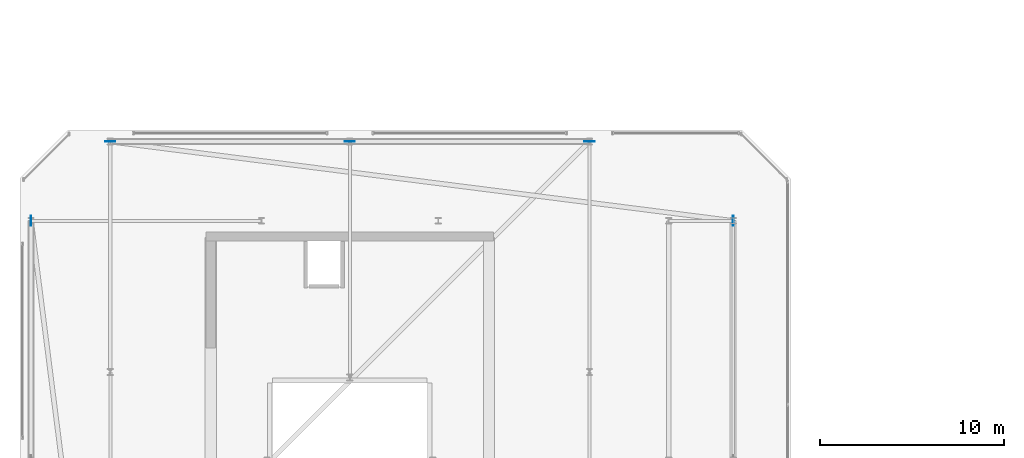
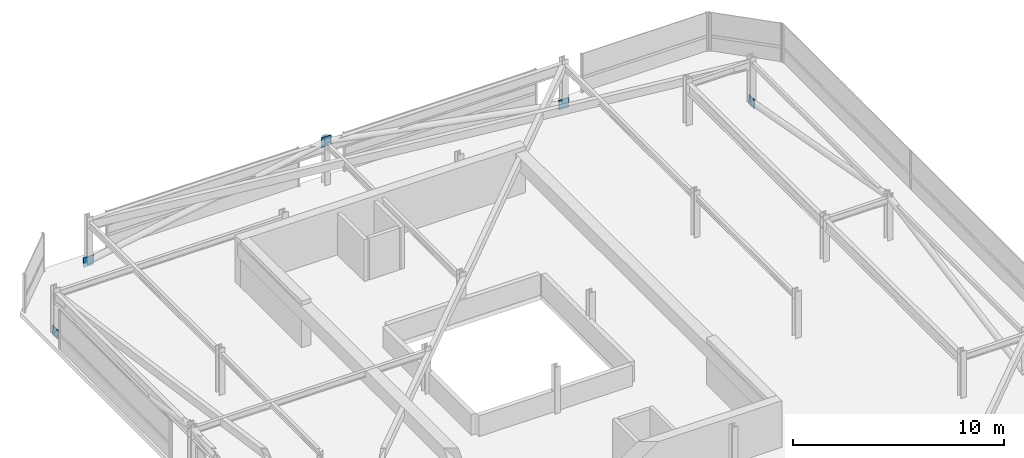
# One storey, part 40 of 42: 5 plates.
"""IFC4 building model written with IfcOpenShell, lengths in metres."""

from ifc_helpers import new_model, si_unit, direction, frame, origin, origin_2d, place, context, subcontext, project, spatial, rectangle, extrude, material, layer, layer_set, type_object, element, save


model = new_model("IFC4")

# Units and contexts
model_context = context("Model", 3, precision=1e-05, world=origin(), true_north=direction((0.0, 1.0)))
body_context = subcontext(model_context, "Body", "Model", "MODEL_VIEW")
ifc_project = project(units=[si_unit("LENGTHUNIT", "METRE"), si_unit("AREAUNIT", "SQUARE_METRE"), si_unit("VOLUMEUNIT", "CUBIC_METRE"), si_unit("PLANEANGLEUNIT", "RADIAN"), si_unit("MASSUNIT", "GRAM", prefix="KILO")], contexts=[model_context])

# Site, building, storey
site_placement = place(None, origin())
site = spatial("IfcSite", under=ifc_project, at=site_placement, CompositionType="ELEMENT")
building_placement = place(site_placement, origin())
building = spatial("IfcBuilding", under=site, at=building_placement, Name="Thornwick Lancets Civic Towers", CompositionType="ELEMENT")
storey_placement = place(building_placement, frame((0.0, 0.0, 284.10009765625)))
storey = spatial("IfcBuildingStorey", under=building, at=storey_placement, Name="C02", CompositionType="ELEMENT", Elevation=284.10009765625)

# Plates
ifc_material = material(Name="Steel S460M", Category="steel")
ifc_layer = layer(ifc_material, 0.0400390625, Name="Steel S460M")
ifc_layer_set = layer_set([ifc_layer], Name="Steel S460M")
plate_type = type_object("IfcPlateType", Name="PLT_GUSSET_40", PredefinedType="USERDEFINED", material=ifc_layer_set)
for number, where, z_axis, x_axis, name in (
    (1, (46.300048828125, 40.0, -0.22509765625), (0.0, 0.0, 1.0), (0.0, -1.0, 0.0), "C02 Brace Connection Gusset Plate 0466"),
    (2, (12.5, 44.300048828125, -0.22509765625), (0.0, 0.0, 1.0), (1.0, 0.0, 0.0), "C02 Brace Connection Gusset Plate 0467"),
    (3, (25.5, 44.300048828125, 2.1650390625), (0.0, 0.0, 1.0), (1.0, 0.0, 0.0), "C02 Brace Connection Gusset Plate 0468"),
    (4, (38.5, 44.300048828125, -0.22509765625), (0.0, 0.0, 1.0), (-1.0, 0.0, 0.0), "C02 Brace Connection Gusset Plate 0469"),
    (5, (8.199951171875, 40.0, -0.22509765625), (0.0, 0.0, 1.0), (0.0, -1.0, 0.0), "C02 Brace Connection Gusset Plate 0472"),
):
    element("IfcPlate", number, at=place(storey_placement, frame(where, z_axis=z_axis, x_axis=x_axis)), inside=storey, type_object=plate_type, Name=name, ObjectType="GUSSET_PLATE", PredefinedType="USERDEFINED", context=body_context, shape_type="SweptSolid", body=[
        extrude(rectangle(XDim=0.550048828125, YDim=0.0400390625, at=origin_2d()), origin(), (0.0, 0.0, 1.0), 0.550048828125),
    ])

save(model, "model.ifc")
